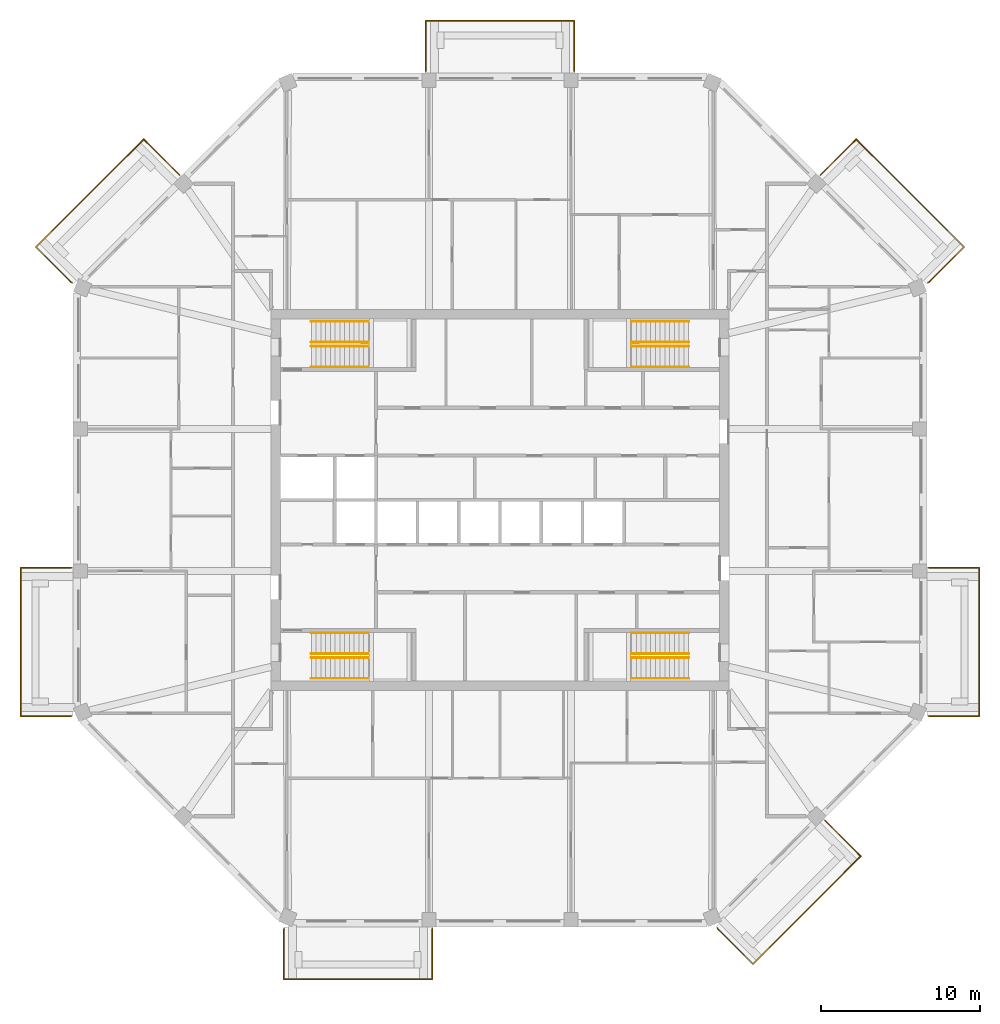
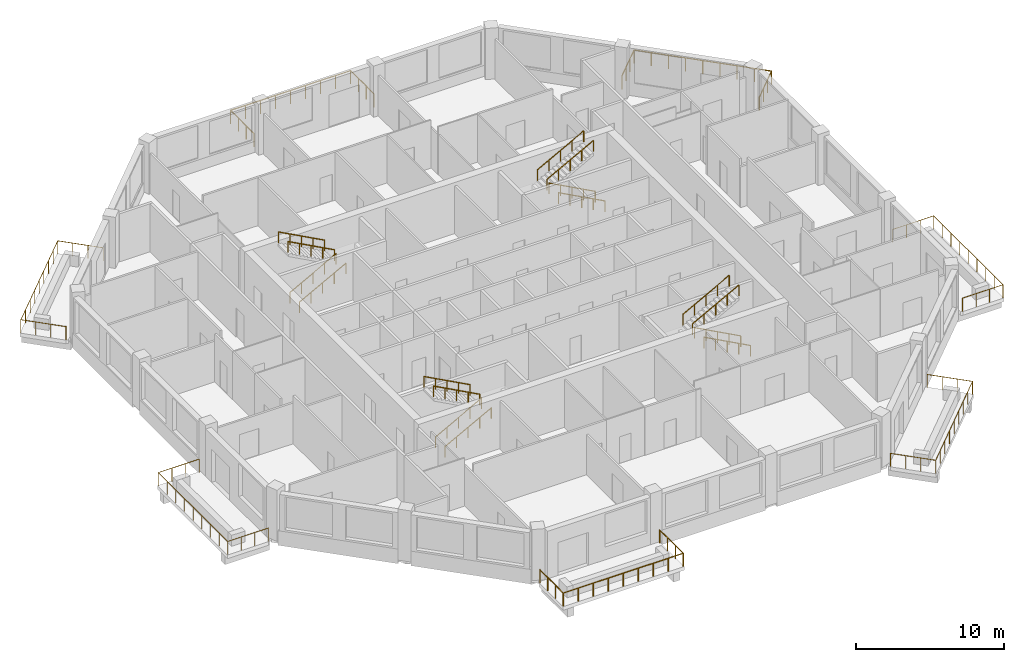
# One storey, part 11 of 11: 23 railings.
"""IFC4 building model written with IfcOpenShell, lengths in metres."""

from ifc_helpers import new_model, si_unit, direction, frame, origin, origin_2d, place, context, subcontext, project, spatial, circle, extrude, material, constituent, constituent_set, type_object, element, save


model = new_model("IFC4")

# Units and contexts
model_context = context("Model", 3, precision=1e-05, world=origin(), true_north=direction((0.0, 1.0)))
body_context = subcontext(model_context, "Body", "Model", "MODEL_VIEW")
ifc_project = project(units=[si_unit("LENGTHUNIT", "METRE"), si_unit("AREAUNIT", "SQUARE_METRE"), si_unit("VOLUMEUNIT", "CUBIC_METRE"), si_unit("PLANEANGLEUNIT", "RADIAN"), si_unit("MASSUNIT", "GRAM", prefix="KILO")], contexts=[model_context])

# Site, building, storey
site_placement = place(None, origin())
site = spatial("IfcSite", under=ifc_project, at=site_placement, CompositionType="ELEMENT")
building_placement = place(site_placement, origin())
building = spatial("IfcBuilding", under=site, at=building_placement, Name="Msitu Wima Residences", CompositionType="ELEMENT")
storey_placement = place(building_placement, frame((0.0, 0.0, 302.10009765625)))
storey = spatial("IfcBuildingStorey", under=building, at=storey_placement, Name="L70", CompositionType="ELEMENT", Elevation=302.10009765625)

# Railings
ifc_material_1 = material(Name="Steel S355", Category="steel")
ifc_constituent_1 = constituent(ifc_material_1, Name="Steel S355")
ifc_material_2 = material(Name="Weathering patina")
ifc_constituent_2 = constituent(ifc_material_2, Name="Weathering patina")
ifc_constituent_set_1 = constituent_set(constituents=[ifc_constituent_1, ifc_constituent_2], Name="Steel S355")
railing_type_1 = type_object("IfcRailingType", Name="Balcony guard GR1100", PredefinedType="GUARDRAIL", material=ifc_constituent_set_1)
railing_1_placement = place(storey_placement, frame((26.97998046875, -4.2685546875, 0.0)))
element("IfcRailing", 1, at=railing_1_placement, inside=storey, type_object=railing_type_1, Name="Balcony guard E0 L70", PredefinedType="GUARDRAIL", context=body_context, shape_type="SweptSolid", body=[
    extrude(circle(Radius=0.02392578125, at=origin_2d()), frame((0.0, 0.0, 1.076171875), z_axis=(1.0, 0.0, 0.0), x_axis=(0.0, 1.0, 0.0)), (0.0, 0.0, 1.0), 3.169921875),
    extrude(circle(Radius=0.02392578125, at=origin_2d()), frame((3.169921875, 0.0, 1.076171875), z_axis=(0.0, -1.0, 0.0), x_axis=(1.0, 0.0, 0.0)), (0.0, 0.0, 1.0), 9.33740234375),
    extrude(circle(Radius=0.02392578125, at=origin_2d()), frame((3.169921875, -9.33740234375, 1.076171875), z_axis=(-1.0, 0.0, 0.0), x_axis=(0.0, -1.0, 0.0)), (0.0, 0.0, 1.0), 3.136474609375),
    extrude(circle(Radius=0.02392578125, at=origin_2d()), frame((0.033447265625, -9.33740234375, 1.076171875), z_axis=(-0.923276184907, 0.384136806859, 0.0), x_axis=(-0.384136806859, -0.923276184907, 0.0)), (0.0, 0.0, 1.0), 0.0361328125),
    extrude(circle(Radius=0.02099609375, at=origin_2d()), origin(), (0.0, 0.0, 1.0), 1.052001953125),
    extrude(circle(Radius=0.02099609375, at=origin_2d()), frame((1.056640625, 0.0, 0.0)), (0.0, 0.0, 1.0), 1.052001953125),
    extrude(circle(Radius=0.02099609375, at=origin_2d()), frame((2.11328125, 0.0, 0.0)), (0.0, 0.0, 1.0), 1.052001953125),
    extrude(circle(Radius=0.02099609375, at=origin_2d()), frame((3.169921875, 0.0, 0.0)), (0.0, 0.0, 1.0), 1.052001953125),
    extrude(circle(Radius=0.02099609375, at=origin_2d()), frame((3.169921875, -1.167236328125, 0.0)), (0.0, 0.0, 1.0), 1.052001953125),
    extrude(circle(Radius=0.02099609375, at=origin_2d()), frame((3.169921875, -2.33447265625, 0.0)), (0.0, 0.0, 1.0), 1.052001953125),
    extrude(circle(Radius=0.02099609375, at=origin_2d()), frame((3.169921875, -3.50146484375, 0.0)), (0.0, 0.0, 1.0), 1.052001953125),
    extrude(circle(Radius=0.02099609375, at=origin_2d()), frame((3.169921875, -4.668701171875, 0.0)), (0.0, 0.0, 1.0), 1.052001953125),
    extrude(circle(Radius=0.02099609375, at=origin_2d()), frame((3.169921875, -5.8359375, 0.0)), (0.0, 0.0, 1.0), 1.052001953125),
    extrude(circle(Radius=0.02099609375, at=origin_2d()), frame((3.169921875, -7.0029296875, 0.0)), (0.0, 0.0, 1.0), 1.052001953125),
    extrude(circle(Radius=0.02099609375, at=origin_2d()), frame((3.169921875, -8.170166015625, 0.0)), (0.0, 0.0, 1.0), 1.052001953125),
    extrude(circle(Radius=0.02099609375, at=origin_2d()), frame((3.169921875, -9.33740234375, 0.0)), (0.0, 0.0, 1.0), 1.052001953125),
    extrude(circle(Radius=0.02099609375, at=origin_2d()), frame((2.12451171875, -9.33740234375, 0.0)), (0.0, 0.0, 1.0), 1.052001953125),
    extrude(circle(Radius=0.02099609375, at=origin_2d()), frame((1.078857421875, -9.33740234375, 0.0)), (0.0, 0.0, 1.0), 1.052001953125),
    extrude(circle(Radius=0.02099609375, at=origin_2d()), frame((0.033447265625, -9.33740234375, 0.0)), (0.0, 0.0, 1.0), 1.052001953125),
    extrude(circle(Radius=0.02099609375, at=origin_2d()), frame((0.0, -9.323486328125, 0.0)), (0.0, 0.0, 1.0), 1.052001953125),
])
railing_2_placement = place(storey_placement, frame((20.171630859375, 20.45458984375, 0.0)))
element("IfcRailing", 2, at=railing_2_placement, inside=storey, type_object=railing_type_1, Name="Balcony guard NE0 L70", PredefinedType="GUARDRAIL", context=body_context, shape_type="SweptSolid", body=[
    extrude(circle(Radius=0.02392578125, at=origin_2d()), frame((0.0, 0.0, 1.076171875), z_axis=(0.707106781187, 0.707106781187, 0.0), x_axis=(-0.707106781187, 0.707106781187, 0.0)), (0.0, 0.0, 1.0), 3.169921875),
    extrude(circle(Radius=0.02392578125, at=origin_2d()), frame((2.241455078125, 2.241455078125, 1.076171875), z_axis=(0.707106781187, -0.707106781187, 0.0), x_axis=(0.707106781187, 0.707106781187, 0.0)), (0.0, 0.0, 1.0), 9.58837890625),
    extrude(circle(Radius=0.02392578125, at=origin_2d()), frame((9.021484375, -4.53857421875, 1.076171875), z_axis=(-0.707106781187, -0.707106781187, 0.0), x_axis=(0.707106781187, -0.707106781187, 0.0)), (0.0, 0.0, 1.0), 3.136474609375),
    extrude(circle(Radius=0.02392578125, at=origin_2d()), frame((6.8037109375, -6.75634765625, 1.076171875), z_axis=(-0.92426142649, -0.38176015442, 0.0), x_axis=(0.38176015442, -0.92426142649, 0.0)), (0.0, 0.0, 1.0), 0.036376953125),
    extrude(circle(Radius=0.02099609375, at=origin_2d()), origin(), (0.0, 0.0, 1.0), 1.052001953125),
    extrude(circle(Radius=0.02099609375, at=origin_2d()), frame((0.7470703125, 0.7470703125, 0.0)), (0.0, 0.0, 1.0), 1.052001953125),
    extrude(circle(Radius=0.02099609375, at=origin_2d()), frame((1.494384765625, 1.494384765625, 0.0)), (0.0, 0.0, 1.0), 1.052001953125),
    extrude(circle(Radius=0.02099609375, at=origin_2d()), frame((2.241455078125, 2.241455078125, 0.0)), (0.0, 0.0, 1.0), 1.052001953125),
    extrude(circle(Radius=0.02099609375, at=origin_2d()), frame((3.0888671875, 1.39404296875, 0.0)), (0.0, 0.0, 1.0), 1.052001953125),
    extrude(circle(Radius=0.02099609375, at=origin_2d()), frame((3.9365234375, 0.54638671875, 0.0)), (0.0, 0.0, 1.0), 1.052001953125),
    extrude(circle(Radius=0.02099609375, at=origin_2d()), frame((4.783935546875, -0.301025390625, 0.0)), (0.0, 0.0, 1.0), 1.052001953125),
    extrude(circle(Radius=0.02099609375, at=origin_2d()), frame((5.63134765625, -1.1484375, 0.0)), (0.0, 0.0, 1.0), 1.052001953125),
    extrude(circle(Radius=0.02099609375, at=origin_2d()), frame((6.47900390625, -1.99609375, 0.0)), (0.0, 0.0, 1.0), 1.052001953125),
    extrude(circle(Radius=0.02099609375, at=origin_2d()), frame((7.326416015625, -2.843505859375, 0.0)), (0.0, 0.0, 1.0), 1.052001953125),
    extrude(circle(Radius=0.02099609375, at=origin_2d()), frame((8.174072265625, -3.691162109375, 0.0)), (0.0, 0.0, 1.0), 1.052001953125),
    extrude(circle(Radius=0.02099609375, at=origin_2d()), frame((9.021484375, -4.53857421875, 0.0)), (0.0, 0.0, 1.0), 1.052001953125),
    extrude(circle(Radius=0.02099609375, at=origin_2d()), frame((8.2822265625, -5.27783203125, 0.0)), (0.0, 0.0, 1.0), 1.052001953125),
    extrude(circle(Radius=0.02099609375, at=origin_2d()), frame((7.54296875, -6.01708984375, 0.0)), (0.0, 0.0, 1.0), 1.052001953125),
    extrude(circle(Radius=0.02099609375, at=origin_2d()), frame((6.8037109375, -6.75634765625, 0.0)), (0.0, 0.0, 1.0), 1.052001953125),
    extrude(circle(Radius=0.02099609375, at=origin_2d()), frame((6.77001953125, -6.770263671875, 0.0)), (0.0, 0.0, 1.0), 1.052001953125),
])
railing_3_placement = place(storey_placement, frame((-4.668701171875, 26.97998046875, 0.0)))
element("IfcRailing", 3, at=railing_3_placement, inside=storey, type_object=railing_type_1, Name="Balcony guard N1 L70", PredefinedType="GUARDRAIL", context=body_context, shape_type="SweptSolid", body=[
    extrude(circle(Radius=0.02392578125, at=origin_2d()), frame((0.0, 0.0, 1.076171875), z_axis=(0.0, 1.0, 0.0), x_axis=(-1.0, 0.0, 0.0)), (0.0, 0.0, 1.0), 3.169921875),
    extrude(circle(Radius=0.02392578125, at=origin_2d()), frame((0.0, 3.169921875, 1.076171875), z_axis=(1.0, 0.0, 0.0), x_axis=(0.0, 1.0, 0.0)), (0.0, 0.0, 1.0), 9.33740234375),
    extrude(circle(Radius=0.02392578125, at=origin_2d()), frame((9.33740234375, 3.169921875, 1.076171875), z_axis=(0.0, -1.0, 0.0), x_axis=(1.0, 0.0, 0.0)), (0.0, 0.0, 1.0), 3.169921875),
    extrude(circle(Radius=0.02099609375, at=origin_2d()), origin(), (0.0, 0.0, 1.0), 1.052001953125),
    extrude(circle(Radius=0.02099609375, at=origin_2d()), frame((0.0, 1.056640625, 0.0)), (0.0, 0.0, 1.0), 1.052001953125),
    extrude(circle(Radius=0.02099609375, at=origin_2d()), frame((0.0, 2.11328125, 0.0)), (0.0, 0.0, 1.0), 1.052001953125),
    extrude(circle(Radius=0.02099609375, at=origin_2d()), frame((0.0, 3.169921875, 0.0)), (0.0, 0.0, 1.0), 1.052001953125),
    extrude(circle(Radius=0.02099609375, at=origin_2d()), frame((1.167236328125, 3.169921875, 0.0)), (0.0, 0.0, 1.0), 1.052001953125),
    extrude(circle(Radius=0.02099609375, at=origin_2d()), frame((2.33447265625, 3.169921875, 0.0)), (0.0, 0.0, 1.0), 1.052001953125),
    extrude(circle(Radius=0.02099609375, at=origin_2d()), frame((3.50146484375, 3.169921875, 0.0)), (0.0, 0.0, 1.0), 1.052001953125),
    extrude(circle(Radius=0.02099609375, at=origin_2d()), frame((4.668701171875, 3.169921875, 0.0)), (0.0, 0.0, 1.0), 1.052001953125),
    extrude(circle(Radius=0.02099609375, at=origin_2d()), frame((5.8359375, 3.169921875, 0.0)), (0.0, 0.0, 1.0), 1.052001953125),
    extrude(circle(Radius=0.02099609375, at=origin_2d()), frame((7.0029296875, 3.169921875, 0.0)), (0.0, 0.0, 1.0), 1.052001953125),
    extrude(circle(Radius=0.02099609375, at=origin_2d()), frame((8.170166015625, 3.169921875, 0.0)), (0.0, 0.0, 1.0), 1.052001953125),
    extrude(circle(Radius=0.02099609375, at=origin_2d()), frame((9.33740234375, 3.169921875, 0.0)), (0.0, 0.0, 1.0), 1.052001953125),
    extrude(circle(Radius=0.02099609375, at=origin_2d()), frame((9.33740234375, 2.11328125, 0.0)), (0.0, 0.0, 1.0), 1.052001953125),
    extrude(circle(Radius=0.02099609375, at=origin_2d()), frame((9.33740234375, 1.056640625, 0.0)), (0.0, 0.0, 1.0), 1.052001953125),
    extrude(circle(Radius=0.02099609375, at=origin_2d()), frame((9.33740234375, 0.0, 0.0)), (0.0, 0.0, 1.0), 1.052001953125),
])
railing_4_placement = place(storey_placement, frame((-26.941650390625, 13.684326171875, 0.0)))
element("IfcRailing", 4, at=railing_4_placement, inside=storey, type_object=railing_type_1, Name="Balcony guard NW1 L70", PredefinedType="GUARDRAIL", context=body_context, shape_type="SweptSolid", body=[
    extrude(circle(Radius=0.02392578125, at=origin_2d()), frame((0.0, 0.0, 1.076171875), z_axis=(-0.92426142649, 0.38176015442, 0.0), x_axis=(-0.38176015442, -0.92426142649, 0.0)), (0.0, 0.0, 1.0), 0.036376953125),
    extrude(circle(Radius=0.02392578125, at=origin_2d()), frame((-0.03369140625, 0.013916015625, 1.076171875), z_axis=(-0.707106781187, 0.707106781187, 0.0), x_axis=(-0.707106781187, -0.707106781187, 0.0)), (0.0, 0.0, 1.0), 3.136474609375),
    extrude(circle(Radius=0.02392578125, at=origin_2d()), frame((-2.25146484375, 2.231689453125, 1.076171875), z_axis=(0.707106781187, 0.707106781187, 0.0), x_axis=(-0.707106781187, 0.707106781187, 0.0)), (0.0, 0.0, 1.0), 9.58837890625),
    extrude(circle(Radius=0.02392578125, at=origin_2d()), frame((4.528564453125, 9.01171875, 1.076171875), z_axis=(0.707106781187, -0.707106781187, 0.0), x_axis=(0.707106781187, 0.707106781187, 0.0)), (0.0, 0.0, 1.0), 3.169921875),
    extrude(circle(Radius=0.02099609375, at=origin_2d()), origin(), (0.0, 0.0, 1.0), 1.052001953125),
    extrude(circle(Radius=0.02099609375, at=origin_2d()), frame((-0.03369140625, 0.013916015625, 0.0)), (0.0, 0.0, 1.0), 1.052001953125),
    extrude(circle(Radius=0.02099609375, at=origin_2d()), frame((-0.77294921875, 0.753173828125, 0.0)), (0.0, 0.0, 1.0), 1.052001953125),
    extrude(circle(Radius=0.02099609375, at=origin_2d()), frame((-1.51220703125, 1.492431640625, 0.0)), (0.0, 0.0, 1.0), 1.052001953125),
    extrude(circle(Radius=0.02099609375, at=origin_2d()), frame((-2.25146484375, 2.231689453125, 0.0)), (0.0, 0.0, 1.0), 1.052001953125),
    extrude(circle(Radius=0.02099609375, at=origin_2d()), frame((-1.404052734375, 3.0791015625, 0.0)), (0.0, 0.0, 1.0), 1.052001953125),
    extrude(circle(Radius=0.02099609375, at=origin_2d()), frame((-0.556396484375, 3.9267578125, 0.0)), (0.0, 0.0, 1.0), 1.052001953125),
    extrude(circle(Radius=0.02099609375, at=origin_2d()), frame((0.291015625, 4.774169921875, 0.0)), (0.0, 0.0, 1.0), 1.052001953125),
    extrude(circle(Radius=0.02099609375, at=origin_2d()), frame((1.138671875, 5.62158203125, 0.0)), (0.0, 0.0, 1.0), 1.052001953125),
    extrude(circle(Radius=0.02099609375, at=origin_2d()), frame((1.986083984375, 6.46923828125, 0.0)), (0.0, 0.0, 1.0), 1.052001953125),
    extrude(circle(Radius=0.02099609375, at=origin_2d()), frame((2.83349609375, 7.316650390625, 0.0)), (0.0, 0.0, 1.0), 1.052001953125),
    extrude(circle(Radius=0.02099609375, at=origin_2d()), frame((3.68115234375, 8.164306640625, 0.0)), (0.0, 0.0, 1.0), 1.052001953125),
    extrude(circle(Radius=0.02099609375, at=origin_2d()), frame((4.528564453125, 9.01171875, 0.0)), (0.0, 0.0, 1.0), 1.052001953125),
    extrude(circle(Radius=0.02099609375, at=origin_2d()), frame((5.275634765625, 8.2646484375, 0.0)), (0.0, 0.0, 1.0), 1.052001953125),
    extrude(circle(Radius=0.02099609375, at=origin_2d()), frame((6.02294921875, 7.517333984375, 0.0)), (0.0, 0.0, 1.0), 1.052001953125),
    extrude(circle(Radius=0.02099609375, at=origin_2d()), frame((6.77001953125, 6.770263671875, 0.0)), (0.0, 0.0, 1.0), 1.052001953125),
])
railing_5_placement = place(storey_placement, frame((-26.97998046875, -13.592041015625, 0.0)))
element("IfcRailing", 5, at=railing_5_placement, inside=storey, type_object=railing_type_1, Name="Balcony guard W2 L70", PredefinedType="GUARDRAIL", context=body_context, shape_type="SweptSolid", body=[
    extrude(circle(Radius=0.02392578125, at=origin_2d()), frame((0.0, 0.0, 1.076171875), z_axis=(-0.923276184907, -0.384136806859, 0.0), x_axis=(0.384136806859, -0.923276184907, 0.0)), (0.0, 0.0, 1.0), 0.0361328125),
    extrude(circle(Radius=0.02392578125, at=origin_2d()), frame((-0.033447265625, -0.013916015625, 1.076171875), z_axis=(-1.0, 0.0, 0.0), x_axis=(0.0, -1.0, 0.0)), (0.0, 0.0, 1.0), 3.136474609375),
    extrude(circle(Radius=0.02392578125, at=origin_2d()), frame((-3.169921875, -0.013916015625, 1.076171875), z_axis=(0.0, 1.0, 0.0), x_axis=(-1.0, 0.0, 0.0)), (0.0, 0.0, 1.0), 9.33740234375),
    extrude(circle(Radius=0.02392578125, at=origin_2d()), frame((-3.169921875, 9.323486328125, 1.076171875), z_axis=(1.0, 0.0, 0.0), x_axis=(0.0, 1.0, 0.0)), (0.0, 0.0, 1.0), 3.169921875),
    extrude(circle(Radius=0.02099609375, at=origin_2d()), origin(), (0.0, 0.0, 1.0), 1.052001953125),
    extrude(circle(Radius=0.02099609375, at=origin_2d()), frame((-0.033447265625, -0.013916015625, 0.0)), (0.0, 0.0, 1.0), 1.052001953125),
    extrude(circle(Radius=0.02099609375, at=origin_2d()), frame((-1.078857421875, -0.013916015625, 0.0)), (0.0, 0.0, 1.0), 1.052001953125),
    extrude(circle(Radius=0.02099609375, at=origin_2d()), frame((-2.12451171875, -0.013916015625, 0.0)), (0.0, 0.0, 1.0), 1.052001953125),
    extrude(circle(Radius=0.02099609375, at=origin_2d()), frame((-3.169921875, -0.013916015625, 0.0)), (0.0, 0.0, 1.0), 1.052001953125),
    extrude(circle(Radius=0.02099609375, at=origin_2d()), frame((-3.169921875, 1.1533203125, 0.0)), (0.0, 0.0, 1.0), 1.052001953125),
    extrude(circle(Radius=0.02099609375, at=origin_2d()), frame((-3.169921875, 2.3203125, 0.0)), (0.0, 0.0, 1.0), 1.052001953125),
    extrude(circle(Radius=0.02099609375, at=origin_2d()), frame((-3.169921875, 3.487548828125, 0.0)), (0.0, 0.0, 1.0), 1.052001953125),
    extrude(circle(Radius=0.02099609375, at=origin_2d()), frame((-3.169921875, 4.65478515625, 0.0)), (0.0, 0.0, 1.0), 1.052001953125),
    extrude(circle(Radius=0.02099609375, at=origin_2d()), frame((-3.169921875, 5.822021484375, 0.0)), (0.0, 0.0, 1.0), 1.052001953125),
    extrude(circle(Radius=0.02099609375, at=origin_2d()), frame((-3.169921875, 6.9892578125, 0.0)), (0.0, 0.0, 1.0), 1.052001953125),
    extrude(circle(Radius=0.02099609375, at=origin_2d()), frame((-3.169921875, 8.15625, 0.0)), (0.0, 0.0, 1.0), 1.052001953125),
    extrude(circle(Radius=0.02099609375, at=origin_2d()), frame((-3.169921875, 9.323486328125, 0.0)), (0.0, 0.0, 1.0), 1.052001953125),
    extrude(circle(Radius=0.02099609375, at=origin_2d()), frame((-2.11328125, 9.323486328125, 0.0)), (0.0, 0.0, 1.0), 1.052001953125),
    extrude(circle(Radius=0.02099609375, at=origin_2d()), frame((-1.056640625, 9.323486328125, 0.0)), (0.0, 0.0, 1.0), 1.052001953125),
    extrude(circle(Radius=0.02099609375, at=origin_2d()), frame((0.0, 9.323486328125, 0.0)), (0.0, 0.0, 1.0), 1.052001953125),
])
railing_6_placement = place(storey_placement, frame((-4.2685546875, -26.97998046875, 0.0)))
element("IfcRailing", 6, at=railing_6_placement, inside=storey, type_object=railing_type_1, Name="Balcony guard S0 L70", PredefinedType="GUARDRAIL", context=body_context, shape_type="SweptSolid", body=[
    extrude(circle(Radius=0.02392578125, at=origin_2d()), frame((0.0, 0.0, 1.076171875), z_axis=(0.0, -1.0, 0.0), x_axis=(1.0, 0.0, 0.0)), (0.0, 0.0, 1.0), 3.169921875),
    extrude(circle(Radius=0.02392578125, at=origin_2d()), frame((0.0, -3.169921875, 1.076171875), z_axis=(-1.0, 0.0, 0.0), x_axis=(0.0, -1.0, 0.0)), (0.0, 0.0, 1.0), 9.33740234375),
    extrude(circle(Radius=0.02392578125, at=origin_2d()), frame((-9.33740234375, -3.169921875, 1.076171875), z_axis=(0.0, 1.0, 0.0), x_axis=(-1.0, 0.0, 0.0)), (0.0, 0.0, 1.0), 3.136474609375),
    extrude(circle(Radius=0.02392578125, at=origin_2d()), frame((-9.33740234375, -0.033447265625, 1.076171875), z_axis=(0.384136806859, 0.923276184907, 0.0), x_axis=(-0.923276184907, 0.384136806859, 0.0)), (0.0, 0.0, 1.0), 0.0361328125),
    extrude(circle(Radius=0.02099609375, at=origin_2d()), origin(), (0.0, 0.0, 1.0), 1.052001953125),
    extrude(circle(Radius=0.02099609375, at=origin_2d()), frame((0.0, -1.056640625, 0.0)), (0.0, 0.0, 1.0), 1.052001953125),
    extrude(circle(Radius=0.02099609375, at=origin_2d()), frame((0.0, -2.11328125, 0.0)), (0.0, 0.0, 1.0), 1.052001953125),
    extrude(circle(Radius=0.02099609375, at=origin_2d()), frame((0.0, -3.169921875, 0.0)), (0.0, 0.0, 1.0), 1.052001953125),
    extrude(circle(Radius=0.02099609375, at=origin_2d()), frame((-1.167236328125, -3.169921875, 0.0)), (0.0, 0.0, 1.0), 1.052001953125),
    extrude(circle(Radius=0.02099609375, at=origin_2d()), frame((-2.33447265625, -3.169921875, 0.0)), (0.0, 0.0, 1.0), 1.052001953125),
    extrude(circle(Radius=0.02099609375, at=origin_2d()), frame((-3.50146484375, -3.169921875, 0.0)), (0.0, 0.0, 1.0), 1.052001953125),
    extrude(circle(Radius=0.02099609375, at=origin_2d()), frame((-4.668701171875, -3.169921875, 0.0)), (0.0, 0.0, 1.0), 1.052001953125),
    extrude(circle(Radius=0.02099609375, at=origin_2d()), frame((-5.8359375, -3.169921875, 0.0)), (0.0, 0.0, 1.0), 1.052001953125),
    extrude(circle(Radius=0.02099609375, at=origin_2d()), frame((-7.0029296875, -3.169921875, 0.0)), (0.0, 0.0, 1.0), 1.052001953125),
    extrude(circle(Radius=0.02099609375, at=origin_2d()), frame((-8.170166015625, -3.169921875, 0.0)), (0.0, 0.0, 1.0), 1.052001953125),
    extrude(circle(Radius=0.02099609375, at=origin_2d()), frame((-9.33740234375, -3.169921875, 0.0)), (0.0, 0.0, 1.0), 1.052001953125),
    extrude(circle(Radius=0.02099609375, at=origin_2d()), frame((-9.33740234375, -2.12451171875, 0.0)), (0.0, 0.0, 1.0), 1.052001953125),
    extrude(circle(Radius=0.02099609375, at=origin_2d()), frame((-9.33740234375, -1.078857421875, 0.0)), (0.0, 0.0, 1.0), 1.052001953125),
    extrude(circle(Radius=0.02099609375, at=origin_2d()), frame((-9.33740234375, -0.033447265625, 0.0)), (0.0, 0.0, 1.0), 1.052001953125),
    extrude(circle(Radius=0.02099609375, at=origin_2d()), frame((-9.323486328125, 0.0, 0.0)), (0.0, 0.0, 1.0), 1.052001953125),
])
railing_7_placement = place(storey_placement, frame((20.45458984375, -20.171630859375, 0.0)))
element("IfcRailing", 7, at=railing_7_placement, inside=storey, type_object=railing_type_1, Name="Balcony guard SE0 L70", PredefinedType="GUARDRAIL", context=body_context, shape_type="SweptSolid", body=[
    extrude(circle(Radius=0.02392578125, at=origin_2d()), frame((0.0, 0.0, 1.076171875), z_axis=(0.707106781187, -0.707106781187, 0.0), x_axis=(0.707106781187, 0.707106781187, 0.0)), (0.0, 0.0, 1.0), 3.169921875),
    extrude(circle(Radius=0.02392578125, at=origin_2d()), frame((2.241455078125, -2.241455078125, 1.076171875), z_axis=(-0.707106781187, -0.707106781187, 0.0), x_axis=(0.707106781187, -0.707106781187, 0.0)), (0.0, 0.0, 1.0), 9.58837890625),
    extrude(circle(Radius=0.02392578125, at=origin_2d()), frame((-4.53857421875, -9.021484375, 1.076171875), z_axis=(-0.707106781187, 0.707106781187, 0.0), x_axis=(-0.707106781187, -0.707106781187, 0.0)), (0.0, 0.0, 1.0), 3.136474609375),
    extrude(circle(Radius=0.02392578125, at=origin_2d()), frame((-6.75634765625, -6.8037109375, 1.076171875), z_axis=(-0.38176015442, 0.92426142649, 0.0), x_axis=(-0.92426142649, -0.38176015442, 0.0)), (0.0, 0.0, 1.0), 0.036376953125),
    extrude(circle(Radius=0.02099609375, at=origin_2d()), origin(), (0.0, 0.0, 1.0), 1.052001953125),
    extrude(circle(Radius=0.02099609375, at=origin_2d()), frame((0.7470703125, -0.7470703125, 0.0)), (0.0, 0.0, 1.0), 1.052001953125),
    extrude(circle(Radius=0.02099609375, at=origin_2d()), frame((1.494384765625, -1.494384765625, 0.0)), (0.0, 0.0, 1.0), 1.052001953125),
    extrude(circle(Radius=0.02099609375, at=origin_2d()), frame((2.241455078125, -2.241455078125, 0.0)), (0.0, 0.0, 1.0), 1.052001953125),
    extrude(circle(Radius=0.02099609375, at=origin_2d()), frame((1.39404296875, -3.0888671875, 0.0)), (0.0, 0.0, 1.0), 1.052001953125),
    extrude(circle(Radius=0.02099609375, at=origin_2d()), frame((0.54638671875, -3.9365234375, 0.0)), (0.0, 0.0, 1.0), 1.052001953125),
    extrude(circle(Radius=0.02099609375, at=origin_2d()), frame((-0.301025390625, -4.783935546875, 0.0)), (0.0, 0.0, 1.0), 1.052001953125),
    extrude(circle(Radius=0.02099609375, at=origin_2d()), frame((-1.1484375, -5.63134765625, 0.0)), (0.0, 0.0, 1.0), 1.052001953125),
    extrude(circle(Radius=0.02099609375, at=origin_2d()), frame((-1.99609375, -6.47900390625, 0.0)), (0.0, 0.0, 1.0), 1.052001953125),
    extrude(circle(Radius=0.02099609375, at=origin_2d()), frame((-2.843505859375, -7.326416015625, 0.0)), (0.0, 0.0, 1.0), 1.052001953125),
    extrude(circle(Radius=0.02099609375, at=origin_2d()), frame((-3.691162109375, -8.174072265625, 0.0)), (0.0, 0.0, 1.0), 1.052001953125),
    extrude(circle(Radius=0.02099609375, at=origin_2d()), frame((-4.53857421875, -9.021484375, 0.0)), (0.0, 0.0, 1.0), 1.052001953125),
    extrude(circle(Radius=0.02099609375, at=origin_2d()), frame((-5.27783203125, -8.2822265625, 0.0)), (0.0, 0.0, 1.0), 1.052001953125),
    extrude(circle(Radius=0.02099609375, at=origin_2d()), frame((-6.01708984375, -7.54296875, 0.0)), (0.0, 0.0, 1.0), 1.052001953125),
    extrude(circle(Radius=0.02099609375, at=origin_2d()), frame((-6.75634765625, -6.8037109375, 0.0)), (0.0, 0.0, 1.0), 1.052001953125),
    extrude(circle(Radius=0.02099609375, at=origin_2d()), frame((-6.770263671875, -6.77001953125, 0.0)), (0.0, 0.0, 1.0), 1.052001953125),
])
ifc_constituent_3 = constituent(ifc_material_1, Name="Steel S355")
ifc_material_3 = material(Name="Black powder coating")
ifc_constituent_4 = constituent(ifc_material_3, Name="Black powder coating")
ifc_constituent_set_2 = constituent_set(constituents=[ifc_constituent_3, ifc_constituent_4], Name="Steel S355")
railing_type_2 = type_object("IfcRailingType", Name="Stair handrail HR1", PredefinedType="HANDRAIL", material=ifc_constituent_set_2)
for number, where, name in (
    (8, (-11.875, 8.375, 0.161376953125), "Stair 1 handrail"),
    (9, (-11.875, 9.675048828125, 0.161376953125), "Stair 1 handrail"),
):
    element("IfcRailing", number, at=place(storey_placement, frame(where)), inside=storey, type_object=railing_type_2, Name=name, PredefinedType="HANDRAIL", context=body_context, shape_type="SweptSolid", body=[
        extrude(circle(Radius=0.02392578125, at=origin_2d()), frame((0.0, 0.0, 0.8759765625), z_axis=(0.880474934443, 0.0, 0.474092701714), x_axis=(0.0, 1.0, 0.0)), (0.0, 0.0, 1.0), 4.0888671875),
        extrude(circle(Radius=0.02099609375, at=origin_2d()), origin(), (0.0, 0.0, 1.0), 0.851806640625),
        extrude(circle(Radius=0.02099609375, at=origin_2d()), frame((0.89990234375, 0.0, 0.484619140625)), (0.0, 0.0, 1.0), 0.851806640625),
        extrude(circle(Radius=0.02099609375, at=origin_2d()), frame((1.800048828125, 0.0, 0.96923828125)), (0.0, 0.0, 1.0), 0.851806640625),
        extrude(circle(Radius=0.02099609375, at=origin_2d()), frame((2.7001953125, 0.0, 1.453857421875)), (0.0, 0.0, 1.0), 0.851806640625),
        extrude(circle(Radius=0.02099609375, at=origin_2d()), frame((3.60009765625, 0.0, 1.9384765625)), (0.0, 0.0, 1.0), 0.851806640625),
    ])
for number, where, name in (
    (10, (-8.27490234375, 9.925048828125, 2.261474609375), "Stair 1 handrail"),
    (11, (-8.27490234375, 11.22509765625, 2.261474609375), "Stair 1 handrail"),
):
    element("IfcRailing", number, at=place(storey_placement, frame(where)), inside=storey, type_object=railing_type_2, Name=name, PredefinedType="HANDRAIL", context=body_context, shape_type="SweptSolid", body=[
        extrude(circle(Radius=0.02392578125, at=origin_2d()), frame((0.0, 0.0, 0.8759765625), z_axis=(-0.880474934443, 0.0, 0.474092701714), x_axis=(0.0, -1.0, 0.0)), (0.0, 0.0, 1.0), 4.0888671875),
        extrude(circle(Radius=0.02099609375, at=origin_2d()), origin(), (0.0, 0.0, 1.0), 0.851806640625),
        extrude(circle(Radius=0.02099609375, at=origin_2d()), frame((-0.89990234375, 0.0, 0.484619140625)), (0.0, 0.0, 1.0), 0.851806640625),
        extrude(circle(Radius=0.02099609375, at=origin_2d()), frame((-1.800048828125, 0.0, 0.96923828125)), (0.0, 0.0, 1.0), 0.851806640625),
        extrude(circle(Radius=0.02099609375, at=origin_2d()), frame((-2.7001953125, 0.0, 1.453857421875)), (0.0, 0.0, 1.0), 0.851806640625),
        extrude(circle(Radius=0.02099609375, at=origin_2d()), frame((-3.60009765625, 0.0, 1.9384765625)), (0.0, 0.0, 1.0), 0.851806640625),
    ])
for number, where, name in (
    (12, (-11.875, -11.22509765625, 0.161376953125), "Stair 2 handrail"),
    (13, (-11.875, -9.925048828125, 0.161376953125), "Stair 2 handrail"),
):
    element("IfcRailing", number, at=place(storey_placement, frame(where)), inside=storey, type_object=railing_type_2, Name=name, PredefinedType="HANDRAIL", context=body_context, shape_type="SweptSolid", body=[
        extrude(circle(Radius=0.02392578125, at=origin_2d()), frame((0.0, 0.0, 0.8759765625), z_axis=(0.880474934443, 0.0, 0.474092701714), x_axis=(0.0, 1.0, 0.0)), (0.0, 0.0, 1.0), 4.0888671875),
        extrude(circle(Radius=0.02099609375, at=origin_2d()), origin(), (0.0, 0.0, 1.0), 0.851806640625),
        extrude(circle(Radius=0.02099609375, at=origin_2d()), frame((0.89990234375, 0.0, 0.484619140625)), (0.0, 0.0, 1.0), 0.851806640625),
        extrude(circle(Radius=0.02099609375, at=origin_2d()), frame((1.800048828125, 0.0, 0.96923828125)), (0.0, 0.0, 1.0), 0.851806640625),
        extrude(circle(Radius=0.02099609375, at=origin_2d()), frame((2.7001953125, 0.0, 1.453857421875)), (0.0, 0.0, 1.0), 0.851806640625),
        extrude(circle(Radius=0.02099609375, at=origin_2d()), frame((3.60009765625, 0.0, 1.9384765625)), (0.0, 0.0, 1.0), 0.851806640625),
    ])
for number, where, name in (
    (14, (-8.27490234375, -9.675048828125, 2.261474609375), "Stair 2 handrail"),
    (15, (-8.27490234375, -8.375, 2.261474609375), "Stair 2 handrail"),
    (16, (11.875, 8.375, 0.161376953125), "Stair 3 handrail"),
    (17, (11.875, 9.675048828125, 0.161376953125), "Stair 3 handrail"),
):
    element("IfcRailing", number, at=place(storey_placement, frame(where)), inside=storey, type_object=railing_type_2, Name=name, PredefinedType="HANDRAIL", context=body_context, shape_type="SweptSolid", body=[
        extrude(circle(Radius=0.02392578125, at=origin_2d()), frame((0.0, 0.0, 0.8759765625), z_axis=(-0.880474934443, 0.0, 0.474092701714), x_axis=(0.0, -1.0, 0.0)), (0.0, 0.0, 1.0), 4.0888671875),
        extrude(circle(Radius=0.02099609375, at=origin_2d()), origin(), (0.0, 0.0, 1.0), 0.851806640625),
        extrude(circle(Radius=0.02099609375, at=origin_2d()), frame((-0.89990234375, 0.0, 0.484619140625)), (0.0, 0.0, 1.0), 0.851806640625),
        extrude(circle(Radius=0.02099609375, at=origin_2d()), frame((-1.800048828125, 0.0, 0.96923828125)), (0.0, 0.0, 1.0), 0.851806640625),
        extrude(circle(Radius=0.02099609375, at=origin_2d()), frame((-2.7001953125, 0.0, 1.453857421875)), (0.0, 0.0, 1.0), 0.851806640625),
        extrude(circle(Radius=0.02099609375, at=origin_2d()), frame((-3.60009765625, 0.0, 1.9384765625)), (0.0, 0.0, 1.0), 0.851806640625),
    ])
for number, where, name in (
    (18, (8.27490234375, 9.925048828125, 2.261474609375), "Stair 3 handrail"),
    (19, (8.27490234375, 11.22509765625, 2.261474609375), "Stair 3 handrail"),
):
    element("IfcRailing", number, at=place(storey_placement, frame(where)), inside=storey, type_object=railing_type_2, Name=name, PredefinedType="HANDRAIL", context=body_context, shape_type="SweptSolid", body=[
        extrude(circle(Radius=0.02392578125, at=origin_2d()), frame((0.0, 0.0, 0.8759765625), z_axis=(0.880474934443, 0.0, 0.474092701714), x_axis=(0.0, 1.0, 0.0)), (0.0, 0.0, 1.0), 4.0888671875),
        extrude(circle(Radius=0.02099609375, at=origin_2d()), origin(), (0.0, 0.0, 1.0), 0.851806640625),
        extrude(circle(Radius=0.02099609375, at=origin_2d()), frame((0.89990234375, 0.0, 0.484619140625)), (0.0, 0.0, 1.0), 0.851806640625),
        extrude(circle(Radius=0.02099609375, at=origin_2d()), frame((1.800048828125, 0.0, 0.96923828125)), (0.0, 0.0, 1.0), 0.851806640625),
        extrude(circle(Radius=0.02099609375, at=origin_2d()), frame((2.7001953125, 0.0, 1.453857421875)), (0.0, 0.0, 1.0), 0.851806640625),
        extrude(circle(Radius=0.02099609375, at=origin_2d()), frame((3.60009765625, 0.0, 1.9384765625)), (0.0, 0.0, 1.0), 0.851806640625),
    ])
for number, where, name in (
    (20, (11.875, -11.22509765625, 0.161376953125), "Stair 4 handrail"),
    (21, (11.875, -9.925048828125, 0.161376953125), "Stair 4 handrail"),
):
    element("IfcRailing", number, at=place(storey_placement, frame(where)), inside=storey, type_object=railing_type_2, Name=name, PredefinedType="HANDRAIL", context=body_context, shape_type="SweptSolid", body=[
        extrude(circle(Radius=0.02392578125, at=origin_2d()), frame((0.0, 0.0, 0.8759765625), z_axis=(-0.880474934443, 0.0, 0.474092701714), x_axis=(0.0, -1.0, 0.0)), (0.0, 0.0, 1.0), 4.0888671875),
        extrude(circle(Radius=0.02099609375, at=origin_2d()), origin(), (0.0, 0.0, 1.0), 0.851806640625),
        extrude(circle(Radius=0.02099609375, at=origin_2d()), frame((-0.89990234375, 0.0, 0.484619140625)), (0.0, 0.0, 1.0), 0.851806640625),
        extrude(circle(Radius=0.02099609375, at=origin_2d()), frame((-1.800048828125, 0.0, 0.96923828125)), (0.0, 0.0, 1.0), 0.851806640625),
        extrude(circle(Radius=0.02099609375, at=origin_2d()), frame((-2.7001953125, 0.0, 1.453857421875)), (0.0, 0.0, 1.0), 0.851806640625),
        extrude(circle(Radius=0.02099609375, at=origin_2d()), frame((-3.60009765625, 0.0, 1.9384765625)), (0.0, 0.0, 1.0), 0.851806640625),
    ])
for number, where, name in (
    (22, (8.27490234375, -9.675048828125, 2.261474609375), "Stair 4 handrail"),
    (23, (8.27490234375, -8.375, 2.261474609375), "Stair 4 handrail"),
):
    element("IfcRailing", number, at=place(storey_placement, frame(where)), inside=storey, type_object=railing_type_2, Name=name, PredefinedType="HANDRAIL", context=body_context, shape_type="SweptSolid", body=[
        extrude(circle(Radius=0.02392578125, at=origin_2d()), frame((0.0, 0.0, 0.8759765625), z_axis=(0.880474934443, 0.0, 0.474092701714), x_axis=(0.0, 1.0, 0.0)), (0.0, 0.0, 1.0), 4.0888671875),
        extrude(circle(Radius=0.02099609375, at=origin_2d()), origin(), (0.0, 0.0, 1.0), 0.851806640625),
        extrude(circle(Radius=0.02099609375, at=origin_2d()), frame((0.89990234375, 0.0, 0.484619140625)), (0.0, 0.0, 1.0), 0.851806640625),
        extrude(circle(Radius=0.02099609375, at=origin_2d()), frame((1.800048828125, 0.0, 0.96923828125)), (0.0, 0.0, 1.0), 0.851806640625),
        extrude(circle(Radius=0.02099609375, at=origin_2d()), frame((2.7001953125, 0.0, 1.453857421875)), (0.0, 0.0, 1.0), 0.851806640625),
        extrude(circle(Radius=0.02099609375, at=origin_2d()), frame((3.60009765625, 0.0, 1.9384765625)), (0.0, 0.0, 1.0), 0.851806640625),
    ])

save(model, "model.ifc")
